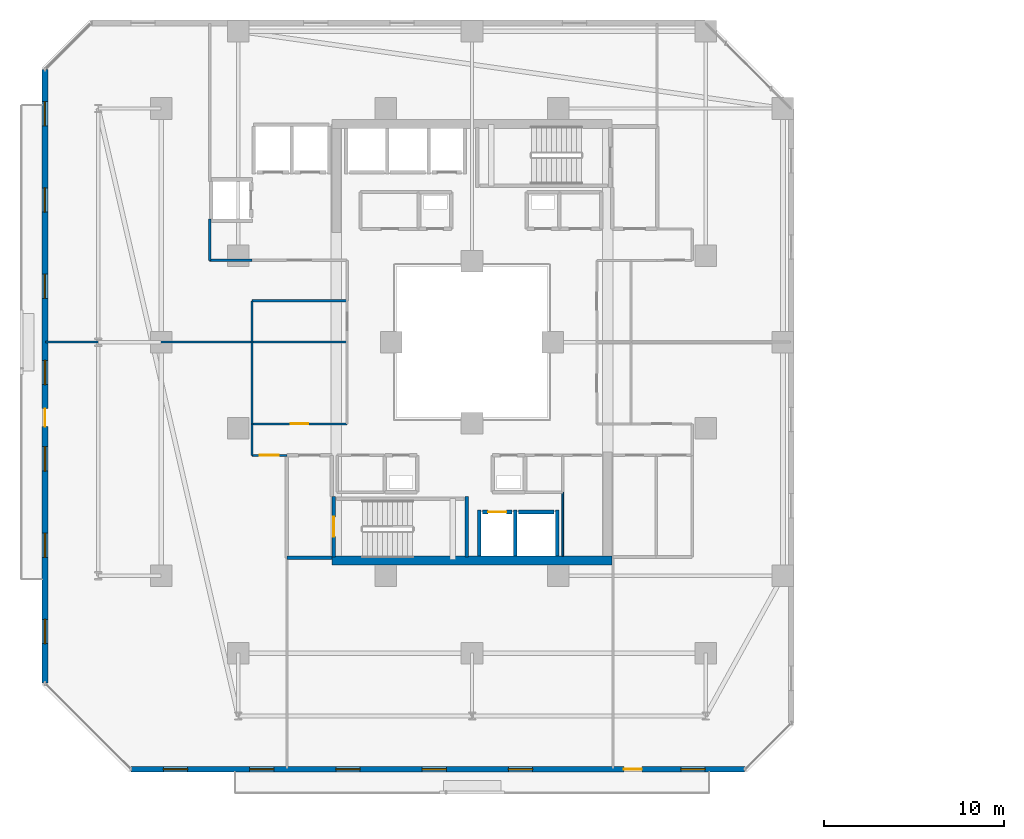
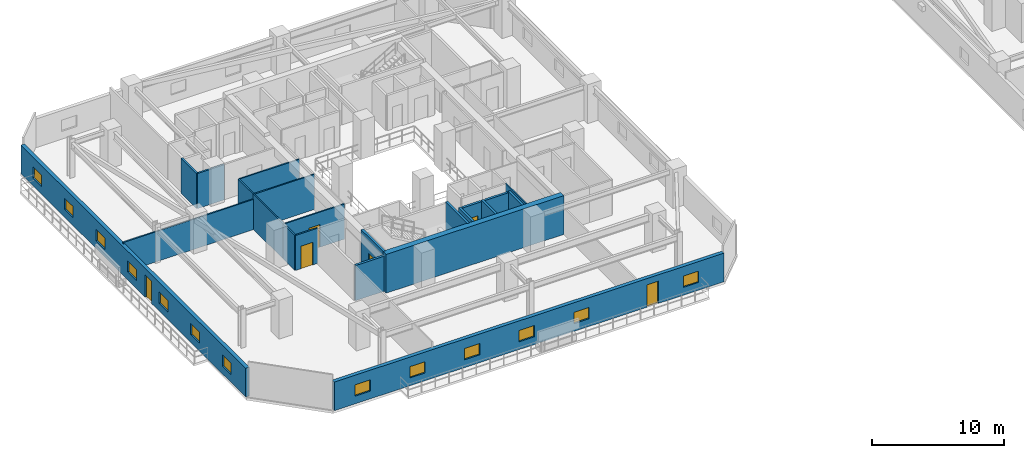
# One storey, part 18 of 34: 22 walls, 13 windows, 6 doors, 19 openings.
"""IFC4 building model written with IfcOpenShell, lengths in metres."""

from ifc_helpers import new_model, si_unit, direction, frame, frame_2d, origin, place, context, subcontext, project, spatial, rectangle, extrude, material, layer, layer_set, type_object, element, fill, save


model = new_model("IFC4")

# Units and contexts
model_context = context("Model", 3, precision=1e-05, world=origin(), true_north=direction((0.0, 1.0)))
body_context = subcontext(model_context, "Body", "Model", "MODEL_VIEW")
ifc_project = project(units=[si_unit("LENGTHUNIT", "METRE"), si_unit("AREAUNIT", "SQUARE_METRE"), si_unit("VOLUMEUNIT", "CUBIC_METRE"), si_unit("PLANEANGLEUNIT", "RADIAN"), si_unit("MASSUNIT", "GRAM", prefix="KILO")], contexts=[model_context])

# Site, building, storey
site_placement = place(None, origin())
site = spatial("IfcSite", under=ifc_project, at=site_placement, CompositionType="ELEMENT")
building_placement = place(site_placement, origin())
building = spatial("IfcBuilding", under=site, at=building_placement, Name="Thornwick Lancets Civic Towers", CompositionType="ELEMENT")
storey_placement = place(building_placement, frame((0.0, 0.0, 137.699951171875)))
storey = spatial("IfcBuildingStorey", under=building, at=storey_placement, Name="L36", CompositionType="ELEMENT", Elevation=137.699951171875)

# Wall, opening, door
ifc_material_1 = material(Name="Concrete blockwork C40/50", Category="masonry")
ifc_layer_1 = layer(ifc_material_1, 0.199951171875, Name="Concrete blockwork C40/50")
ifc_layer_set_1 = layer_set([ifc_layer_1], Name="Concrete blockwork C40/50")
wall_type_1 = type_object("IfcWallType", Name="WALL_COMP_200", PredefinedType="STANDARD", material=ifc_layer_set_1)
wall_1_placement = place(storey_placement, frame((26.080078125, 17.550048828125, 0.0), z_axis=(0.0, 0.0, 1.0), x_axis=(1.0, 0.0, 0.0)))
wall_1 = element("IfcWall", 1, at=wall_1_placement, inside=storey, type_object=wall_type_1, Name="L36 Hoistway Front Wall FL-A1", PredefinedType="STANDARD", context=body_context, shape_type="SweptSolid", body=[
    extrude(rectangle(XDim=1.639892578125, YDim=0.199951171875, at=frame_2d((0.81982421875, 0.0))), origin(), (0.0, 0.0, 1.0), 3.260009765625),
])
opening_1_placement = place(wall_1_placement, frame((0.31005859375, 0.0, 0.0)))
opening_1 = element("IfcOpeningElement", 2, at=opening_1_placement, cuts=wall_1, Name="Opening LD-FL-A1", PredefinedType="OPENING", context=body_context, shape_type="SweptSolid", body=[
    extrude(rectangle(XDim=1.02001953125, YDim=2.06005859375, at=frame_2d((0.510009765625, 1.030029296875))), frame((0.0, 0.10986328125, 0.0), z_axis=(0.0, -1.0, 0.0), x_axis=(1.0, 0.0, 0.0)), (0.0, 0.0, 1.0), 0.219970703125),
])
ifc_material_2 = material(Name="Brushed bronze stainless steel", Category="steel")
door_type_1 = type_object("IfcDoorType", Name="DOOR_LIFT_SLIDE", OperationType="SLIDING_TO_LEFT", PredefinedType="DOOR", material=ifc_material_2)
door_1_placement = place(opening_1_placement, origin())
door_1 = element("IfcDoor", 3, at=door_1_placement, inside=storey, type_object=door_type_1, Name="L36 Sliding Lift Landing Door LD-FL-A1", OperationType="SLIDING_TO_LEFT", OverallHeight=2.06005859375, OverallWidth=1.02001953125, PredefinedType="DOOR", context=body_context, shape_type="SweptSolid", body=[
    extrude(rectangle(XDim=1.02001953125, YDim=2.06005859375, at=frame_2d((0.510009765625, 1.030029296875))), frame((0.0, 0.02490234375, 0.0), z_axis=(0.0, -1.0, 0.0), x_axis=(1.0, 0.0, 0.0)), (0.0, 0.0, 1.0), 0.050048828125),
])
fill(opening_1, door_1)

# Walls
wall_2_placement = place(storey_placement, frame((28.080078125, 17.550048828125, 0.0), z_axis=(0.0, 0.0, 1.0), x_axis=(1.0, 0.0, 0.0)))
element("IfcWall", 4, at=wall_2_placement, inside=storey, type_object=wall_type_1, Name="L36 Hoistway Front Wall PL-AH1", PredefinedType="STANDARD", context=body_context, shape_type="SweptSolid", body=[
    extrude(rectangle(XDim=1.989990234375, YDim=0.199951171875, at=frame_2d((0.9951171875, 0.0))), origin(), (0.0, 0.0, 1.0), 3.260009765625),
])
for number, where, z_axis, x_axis, name in (
    (5, (27.89990234375, 15.112060546875, 0.0), (0.0, 0.0, 1.0), (0.0, 1.0, 0.0), "L36 Hoistway Shaft Wall FL-A1 E"),
    (6, (25.89990234375, 15.112060546875, 0.0), (0.0, 0.0, 1.0), (0.0, 1.0, 0.0), "L36 Hoistway Shaft Wall FL-A1 W"),
    (7, (30.25, 15.112060546875, 0.0), (0.0, 0.0, 1.0), (0.0, 1.0, 0.0), "L36 Hoistway Shaft Wall PL-AH1 E"),
):
    element("IfcWall", number, at=place(storey_placement, frame(where, z_axis=z_axis, x_axis=x_axis)), inside=storey, type_object=wall_type_1, Name=name, PredefinedType="STANDARD", context=body_context, shape_type="SweptSolid", body=[
        extrude(rectangle(XDim=2.535888671875, YDim=0.199951171875, at=frame_2d((1.26806640625, 0.0))), origin(), (0.0, 0.0, 1.0), 3.260009765625),
    ])
wall_3_placement = place(storey_placement, frame((15.199951171875, 15.0, 0.0), z_axis=(0.0, 0.0, 1.0), x_axis=(1.0, 0.0, 0.0)))
element("IfcWall", 8, at=wall_3_placement, inside=storey, type_object=wall_type_1, Name="L36 Partition L36-A-FFLOB1 E1", PredefinedType="STANDARD", context=body_context, shape_type="SweptSolid", body=[
    extrude(rectangle(XDim=2.5, YDim=0.199951171875, at=frame_2d((1.25, 0.0))), origin(), (0.0, 0.0, 1.0), 3.260009765625),
])
ifc_material_3 = material(Name="Concrete C50/60", Category="concrete")
ifc_layer_2 = layer(ifc_material_3, 0.5, Name="Concrete C50/60")
ifc_layer_set_2 = layer_set([ifc_layer_2], Name="Concrete C50/60")
wall_type_2 = type_object("IfcWallType", Name="WALL_CORE_500", PredefinedType="SHEAR", material=ifc_layer_set_2)
wall_4_placement = place(storey_placement, frame((17.699951171875, 14.85009765625, 0.0), z_axis=(0.0, 0.0, 1.0), x_axis=(1.0, 0.0, 0.0)))
element("IfcWall", 9, at=wall_4_placement, inside=storey, type_object=wall_type_2, Name="L36 Split Core A1 Shear Wall S", PredefinedType="SHEAR", context=body_context, shape_type="SweptSolid", body=[
    extrude(rectangle(XDim=15.60009765625, YDim=0.5, at=frame_2d((7.800048828125, 0.0))), origin(), (0.0, 0.0, 1.0), 3.60009765625),
])

# Wall, openings, door, windows
ifc_material_4 = material(Name="Insulated buff terracotta rainscreen on concrete C40/50", Category="masonry")
ifc_layer_3 = layer(ifc_material_4, 0.320068359375, Name="Insulated buff terracotta rainscreen on concrete C40/50")
ifc_layer_set_3 = layer_set([ifc_layer_3], Name="Insulated buff terracotta rainscreen on concrete C40/50")
wall_type_3 = type_object("IfcWallType", Name="WALL_EXT_TERRA_320", PredefinedType="STANDARD", material=ifc_layer_set_3)
wall_5_placement = place(storey_placement, frame((6.52490234375, 3.24267578125, 0.0), z_axis=(0.0, 0.0, 1.0), x_axis=(0.99999997701, -0.000214431216, 0.0)))
wall_5 = element("IfcWall", 10, at=wall_5_placement, inside=storey, type_object=wall_type_3, Name="L36 Tower A Terracotta Facade Wall E0", PredefinedType="STANDARD", context=body_context, shape_type="SweptSolid", body=[
    extrude(rectangle(XDim=34.156494140625, YDim=0.320068359375, at=frame_2d((17.078125, 0.0))), origin(), (0.0, 0.0, 1.0), 2.66015625),
])
opening_2_placement = place(wall_5_placement, frame((27.42822265625, 0.0, 0.0)))
opening_2 = element("IfcOpeningElement", 11, at=opening_2_placement, cuts=wall_5, Name="Opening D-BL-L36-AS", PredefinedType="OPENING", context=body_context, shape_type="SweptSolid", body=[
    extrude(rectangle(XDim=1.0, YDim=2.080078125, at=frame_2d((0.5, 1.0400390625))), frame((0.0, 0.169921875, 0.0), z_axis=(0.0, -1.0, 0.0), x_axis=(1.0, 0.0, 0.0)), (0.0, 0.0, 1.0), 0.340087890625),
])
opening_3_placement = place(wall_5_placement, frame((1.800048828125, 0.0, 0.719970703125)))
opening_3 = element("IfcOpeningElement", 12, at=opening_3_placement, cuts=wall_5, Name="Opening WL-03", PredefinedType="OPENING", context=body_context, shape_type="SweptSolid", body=[
    extrude(rectangle(XDim=1.35009765625, YDim=1.050048828125, at=frame_2d((0.675048828125, 0.52490234375))), frame((0.0, 0.169921875, 0.0), z_axis=(0.0, -1.0, 0.0), x_axis=(1.0, 0.0, 0.0)), (0.0, 0.0, 1.0), 0.340087890625),
])
opening_4_placement = place(wall_5_placement, frame((6.60009765625, 0.0, 0.719970703125)))
opening_4 = element("IfcOpeningElement", 13, at=opening_4_placement, cuts=wall_5, Name="Opening WL-03", PredefinedType="OPENING", context=body_context, shape_type="SweptSolid", body=[
    extrude(rectangle(XDim=1.35009765625, YDim=1.050048828125, at=frame_2d((0.675048828125, 0.52490234375))), frame((0.0, 0.169921875, 0.0), z_axis=(0.0, -1.0, 0.0), x_axis=(1.0, 0.0, 0.0)), (0.0, 0.0, 1.0), 0.340087890625),
])
opening_5_placement = place(wall_5_placement, frame((11.39990234375, 0.0, 0.719970703125)))
opening_5 = element("IfcOpeningElement", 14, at=opening_5_placement, cuts=wall_5, Name="Opening WL-03", PredefinedType="OPENING", context=body_context, shape_type="SweptSolid", body=[
    extrude(rectangle(XDim=1.35009765625, YDim=1.050048828125, at=frame_2d((0.675048828125, 0.52490234375))), frame((0.0, 0.169921875, 0.0), z_axis=(0.0, -1.0, 0.0), x_axis=(1.0, 0.0, 0.0)), (0.0, 0.0, 1.0), 0.340087890625),
])
opening_6_placement = place(wall_5_placement, frame((16.199951171875, 0.0, 0.719970703125)))
opening_6 = element("IfcOpeningElement", 15, at=opening_6_placement, cuts=wall_5, Name="Opening WL-03", PredefinedType="OPENING", context=body_context, shape_type="SweptSolid", body=[
    extrude(rectangle(XDim=1.35009765625, YDim=1.050048828125, at=frame_2d((0.675048828125, 0.52490234375))), frame((0.0, 0.169921875, 0.0), z_axis=(0.0, -1.0, 0.0), x_axis=(1.0, 0.0, 0.0)), (0.0, 0.0, 1.0), 0.340087890625),
])
opening_7_placement = place(wall_5_placement, frame((21.0, 0.0, 0.719970703125)))
opening_7 = element("IfcOpeningElement", 16, at=opening_7_placement, cuts=wall_5, Name="Opening WL-03", PredefinedType="OPENING", context=body_context, shape_type="SweptSolid", body=[
    extrude(rectangle(XDim=1.35009765625, YDim=1.050048828125, at=frame_2d((0.675048828125, 0.52490234375))), frame((0.0, 0.169921875, 0.0), z_axis=(0.0, -1.0, 0.0), x_axis=(1.0, 0.0, 0.0)), (0.0, 0.0, 1.0), 0.340087890625),
])
opening_8_placement = place(wall_5_placement, frame((30.60009765625, 0.0, 0.719970703125)))
opening_8 = element("IfcOpeningElement", 17, at=opening_8_placement, cuts=wall_5, Name="Opening WL-03", PredefinedType="OPENING", context=body_context, shape_type="SweptSolid", body=[
    extrude(rectangle(XDim=1.35009765625, YDim=1.050048828125, at=frame_2d((0.675048828125, 0.52490234375))), frame((0.0, 0.169921875, 0.0), z_axis=(0.0, -1.0, 0.0), x_axis=(1.0, 0.0, 0.0)), (0.0, 0.0, 1.0), 0.340087890625),
])
ifc_material_5 = material(Name="Thermally broken glazed loggia doorset")
door_type_2 = type_object("IfcDoorType", Name="DOOR_BALC_1000", OperationType="NOTDEFINED", PredefinedType="DOOR", material=ifc_material_5)
door_2_placement = place(opening_2_placement, origin())
door_2 = element("IfcDoor", 18, at=door_2_placement, inside=storey, type_object=door_type_2, Name="L36 Tower A Loggia Balcony Door S", OperationType="SINGLE_SWING_LEFT", OverallHeight=2.080078125, OverallWidth=1.0, PredefinedType="DOOR", context=body_context, shape_type="SweptSolid", body=[
    extrude(rectangle(XDim=1.0, YDim=2.080078125, at=frame_2d((0.5, 1.0400390625))), frame((0.0, 0.02490234375, 0.0), z_axis=(0.0, -1.0, 0.0), x_axis=(1.0, 0.0, 0.0)), (0.0, 0.0, 1.0), 0.050048828125),
])
fill(opening_2, door_2)
ifc_material_6 = material(Name="Clear low-e double glazing clerestory lancet", Category="glass")
window_type = type_object("IfcWindowType", Name="WIN_LANCET_1350", PartitioningType="SINGLE_PANEL", PredefinedType="WINDOW", material=ifc_material_6)
window_1_placement = place(opening_3_placement, origin())
window_1 = element("IfcWindow", 19, at=window_1_placement, inside=storey, type_object=window_type, Name="L36 Tower A Staggered Lancet Window E0-1", OverallHeight=1.050048828125, OverallWidth=1.35009765625, PartitioningType="SINGLE_PANEL", PredefinedType="WINDOW", context=body_context, shape_type="SweptSolid", body=[
    extrude(rectangle(XDim=1.35009765625, YDim=1.050048828125, at=frame_2d((0.675048828125, 0.52490234375))), frame((0.0, 0.030029296875, 0.0), z_axis=(0.0, -1.0, 0.0), x_axis=(1.0, 0.0, 0.0)), (0.0, 0.0, 1.0), 0.06005859375),
])
fill(opening_3, window_1)
window_2_placement = place(opening_4_placement, origin())
window_2 = element("IfcWindow", 20, at=window_2_placement, inside=storey, type_object=window_type, Name="L36 Tower A Staggered Lancet Window E0-2", OverallHeight=1.050048828125, OverallWidth=1.35009765625, PartitioningType="SINGLE_PANEL", PredefinedType="WINDOW", context=body_context, shape_type="SweptSolid", body=[
    extrude(rectangle(XDim=1.35009765625, YDim=1.050048828125, at=frame_2d((0.675048828125, 0.52490234375))), frame((0.0, 0.030029296875, 0.0), z_axis=(0.0, -1.0, 0.0), x_axis=(1.0, 0.0, 0.0)), (0.0, 0.0, 1.0), 0.06005859375),
])
fill(opening_4, window_2)
window_3_placement = place(opening_5_placement, origin())
window_3 = element("IfcWindow", 21, at=window_3_placement, inside=storey, type_object=window_type, Name="L36 Tower A Staggered Lancet Window E0-3", OverallHeight=1.050048828125, OverallWidth=1.35009765625, PartitioningType="SINGLE_PANEL", PredefinedType="WINDOW", context=body_context, shape_type="SweptSolid", body=[
    extrude(rectangle(XDim=1.35009765625, YDim=1.050048828125, at=frame_2d((0.675048828125, 0.52490234375))), frame((0.0, 0.030029296875, 0.0), z_axis=(0.0, -1.0, 0.0), x_axis=(1.0, 0.0, 0.0)), (0.0, 0.0, 1.0), 0.06005859375),
])
fill(opening_5, window_3)
window_4_placement = place(opening_6_placement, origin())
window_4 = element("IfcWindow", 22, at=window_4_placement, inside=storey, type_object=window_type, Name="L36 Tower A Staggered Lancet Window E0-4", OverallHeight=1.050048828125, OverallWidth=1.35009765625, PartitioningType="SINGLE_PANEL", PredefinedType="WINDOW", context=body_context, shape_type="SweptSolid", body=[
    extrude(rectangle(XDim=1.35009765625, YDim=1.050048828125, at=frame_2d((0.675048828125, 0.52490234375))), frame((0.0, 0.030029296875, 0.0), z_axis=(0.0, -1.0, 0.0), x_axis=(1.0, 0.0, 0.0)), (0.0, 0.0, 1.0), 0.06005859375),
])
fill(opening_6, window_4)
window_5_placement = place(opening_7_placement, origin())
window_5 = element("IfcWindow", 23, at=window_5_placement, inside=storey, type_object=window_type, Name="L36 Tower A Staggered Lancet Window E0-5", OverallHeight=1.050048828125, OverallWidth=1.35009765625, PartitioningType="SINGLE_PANEL", PredefinedType="WINDOW", context=body_context, shape_type="SweptSolid", body=[
    extrude(rectangle(XDim=1.35009765625, YDim=1.050048828125, at=frame_2d((0.675048828125, 0.52490234375))), frame((0.0, 0.030029296875, 0.0), z_axis=(0.0, -1.0, 0.0), x_axis=(1.0, 0.0, 0.0)), (0.0, 0.0, 1.0), 0.06005859375),
])
fill(opening_7, window_5)
window_6_placement = place(opening_8_placement, origin())
window_6 = element("IfcWindow", 24, at=window_6_placement, inside=storey, type_object=window_type, Name="L36 Tower A Staggered Lancet Window E0-6", OverallHeight=1.050048828125, OverallWidth=1.35009765625, PartitioningType="SINGLE_PANEL", PredefinedType="WINDOW", context=body_context, shape_type="SweptSolid", body=[
    extrude(rectangle(XDim=1.35009765625, YDim=1.050048828125, at=frame_2d((0.675048828125, 0.52490234375))), frame((0.0, 0.030029296875, 0.0), z_axis=(0.0, -1.0, 0.0), x_axis=(1.0, 0.0, 0.0)), (0.0, 0.0, 1.0), 0.06005859375),
])
fill(opening_8, window_6)

wall_6_placement = place(storey_placement, frame((1.7353515625, 42.181396484375, 0.0), z_axis=(0.0, 0.0, 1.0), x_axis=(0.000214431216, -0.99999997701, 0.0)))
wall_6 = element("IfcWall", 25, at=wall_6_placement, inside=storey, type_object=wall_type_3, Name="L36 Tower A Terracotta Facade Wall E6", PredefinedType="STANDARD", context=body_context, shape_type="SweptSolid", body=[
    extrude(rectangle(XDim=34.156494140625, YDim=0.320068359375, at=frame_2d((17.078125, 0.0))), origin(), (0.0, 0.0, 1.0), 2.66015625),
])
opening_9_placement = place(wall_6_placement, frame((18.87841796875, 0.0, 0.0)))
opening_9 = element("IfcOpeningElement", 26, at=opening_9_placement, cuts=wall_6, Name="Opening D-BL-L36-AW", PredefinedType="OPENING", context=body_context, shape_type="SweptSolid", body=[
    extrude(rectangle(XDim=1.0, YDim=2.080078125, at=frame_2d((0.5, 1.0400390625))), frame((0.0, 0.169921875, 0.0), z_axis=(0.0, -1.0, 0.0), x_axis=(1.0, 0.0, 0.0)), (0.0, 0.0, 1.0), 0.340087890625),
])
opening_10_placement = place(wall_6_placement, frame((1.800048828125, 0.0, 0.719970703125)))
opening_10 = element("IfcOpeningElement", 27, at=opening_10_placement, cuts=wall_6, Name="Opening WL-03", PredefinedType="OPENING", context=body_context, shape_type="SweptSolid", body=[
    extrude(rectangle(XDim=1.35009765625, YDim=1.050048828125, at=frame_2d((0.675048828125, 0.52490234375))), frame((0.0, 0.169921875, 0.0), z_axis=(0.0, -1.0, 0.0), x_axis=(1.0, 0.0, 0.0)), (0.0, 0.0, 1.0), 0.340087890625),
])
opening_11_placement = place(wall_6_placement, frame((6.60009765625, 0.0, 0.719970703125)))
opening_11 = element("IfcOpeningElement", 28, at=opening_11_placement, cuts=wall_6, Name="Opening WL-03", PredefinedType="OPENING", context=body_context, shape_type="SweptSolid", body=[
    extrude(rectangle(XDim=1.35009765625, YDim=1.050048828125, at=frame_2d((0.675048828125, 0.52490234375))), frame((0.0, 0.169921875, 0.0), z_axis=(0.0, -1.0, 0.0), x_axis=(1.0, 0.0, 0.0)), (0.0, 0.0, 1.0), 0.340087890625),
])
opening_12_placement = place(wall_6_placement, frame((11.39990234375, 0.0, 0.719970703125)))
opening_12 = element("IfcOpeningElement", 29, at=opening_12_placement, cuts=wall_6, Name="Opening WL-03", PredefinedType="OPENING", context=body_context, shape_type="SweptSolid", body=[
    extrude(rectangle(XDim=1.35009765625, YDim=1.050048828125, at=frame_2d((0.675048828125, 0.52490234375))), frame((0.0, 0.169921875, 0.0), z_axis=(0.0, -1.0, 0.0), x_axis=(1.0, 0.0, 0.0)), (0.0, 0.0, 1.0), 0.340087890625),
])
opening_13_placement = place(wall_6_placement, frame((16.199951171875, 0.0, 0.719970703125)))
opening_13 = element("IfcOpeningElement", 30, at=opening_13_placement, cuts=wall_6, Name="Opening WL-03", PredefinedType="OPENING", context=body_context, shape_type="SweptSolid", body=[
    extrude(rectangle(XDim=1.35009765625, YDim=1.050048828125, at=frame_2d((0.675048828125, 0.52490234375))), frame((0.0, 0.169921875, 0.0), z_axis=(0.0, -1.0, 0.0), x_axis=(1.0, 0.0, 0.0)), (0.0, 0.0, 1.0), 0.340087890625),
])
opening_14_placement = place(wall_6_placement, frame((21.0, 0.0, 0.719970703125)))
opening_14 = element("IfcOpeningElement", 31, at=opening_14_placement, cuts=wall_6, Name="Opening WL-03", PredefinedType="OPENING", context=body_context, shape_type="SweptSolid", body=[
    extrude(rectangle(XDim=1.35009765625, YDim=1.050048828125, at=frame_2d((0.675048828125, 0.52490234375))), frame((0.0, 0.169921875, 0.0), z_axis=(0.0, -1.0, 0.0), x_axis=(1.0, 0.0, 0.0)), (0.0, 0.0, 1.0), 0.340087890625),
])
opening_15_placement = place(wall_6_placement, frame((25.800048828125, 0.0, 0.719970703125)))
opening_15 = element("IfcOpeningElement", 32, at=opening_15_placement, cuts=wall_6, Name="Opening WL-03", PredefinedType="OPENING", context=body_context, shape_type="SweptSolid", body=[
    extrude(rectangle(XDim=1.35009765625, YDim=1.050048828125, at=frame_2d((0.675048828125, 0.52490234375))), frame((0.0, 0.169921875, 0.0), z_axis=(0.0, -1.0, 0.0), x_axis=(1.0, 0.0, 0.0)), (0.0, 0.0, 1.0), 0.340087890625),
])
opening_16_placement = place(wall_6_placement, frame((30.60009765625, 0.0, 0.719970703125)))
opening_16 = element("IfcOpeningElement", 33, at=opening_16_placement, cuts=wall_6, Name="Opening WL-03", PredefinedType="OPENING", context=body_context, shape_type="SweptSolid", body=[
    extrude(rectangle(XDim=1.35009765625, YDim=1.050048828125, at=frame_2d((0.675048828125, 0.52490234375))), frame((0.0, 0.169921875, 0.0), z_axis=(0.0, -1.0, 0.0), x_axis=(1.0, 0.0, 0.0)), (0.0, 0.0, 1.0), 0.340087890625),
])
door_3_placement = place(opening_9_placement, origin())
door_3 = element("IfcDoor", 34, at=door_3_placement, inside=storey, type_object=door_type_2, Name="L36 Tower A Loggia Balcony Door W", OperationType="SINGLE_SWING_LEFT", OverallHeight=2.080078125, OverallWidth=1.0, PredefinedType="DOOR", context=body_context, shape_type="SweptSolid", body=[
    extrude(rectangle(XDim=1.0, YDim=2.080078125, at=frame_2d((0.5, 1.0400390625))), frame((0.0, 0.02490234375, 0.0), z_axis=(0.0, -1.0, 0.0), x_axis=(1.0, 0.0, 0.0)), (0.0, 0.0, 1.0), 0.050048828125),
])
fill(opening_9, door_3)
window_7_placement = place(opening_10_placement, origin())
window_7 = element("IfcWindow", 35, at=window_7_placement, inside=storey, type_object=window_type, Name="L36 Tower A Staggered Lancet Window E6-1", OverallHeight=1.050048828125, OverallWidth=1.35009765625, PartitioningType="SINGLE_PANEL", PredefinedType="WINDOW", context=body_context, shape_type="SweptSolid", body=[
    extrude(rectangle(XDim=1.35009765625, YDim=1.050048828125, at=frame_2d((0.675048828125, 0.52490234375))), frame((0.0, 0.030029296875, 0.0), z_axis=(0.0, -1.0, 0.0), x_axis=(1.0, 0.0, 0.0)), (0.0, 0.0, 1.0), 0.06005859375),
])
fill(opening_10, window_7)
window_8_placement = place(opening_11_placement, origin())
window_8 = element("IfcWindow", 36, at=window_8_placement, inside=storey, type_object=window_type, Name="L36 Tower A Staggered Lancet Window E6-2", OverallHeight=1.050048828125, OverallWidth=1.35009765625, PartitioningType="SINGLE_PANEL", PredefinedType="WINDOW", context=body_context, shape_type="SweptSolid", body=[
    extrude(rectangle(XDim=1.35009765625, YDim=1.050048828125, at=frame_2d((0.675048828125, 0.52490234375))), frame((0.0, 0.030029296875, 0.0), z_axis=(0.0, -1.0, 0.0), x_axis=(1.0, 0.0, 0.0)), (0.0, 0.0, 1.0), 0.06005859375),
])
fill(opening_11, window_8)
window_9_placement = place(opening_12_placement, origin())
window_9 = element("IfcWindow", 37, at=window_9_placement, inside=storey, type_object=window_type, Name="L36 Tower A Staggered Lancet Window E6-3", OverallHeight=1.050048828125, OverallWidth=1.35009765625, PartitioningType="SINGLE_PANEL", PredefinedType="WINDOW", context=body_context, shape_type="SweptSolid", body=[
    extrude(rectangle(XDim=1.35009765625, YDim=1.050048828125, at=frame_2d((0.675048828125, 0.52490234375))), frame((0.0, 0.030029296875, 0.0), z_axis=(0.0, -1.0, 0.0), x_axis=(1.0, 0.0, 0.0)), (0.0, 0.0, 1.0), 0.06005859375),
])
fill(opening_12, window_9)
window_10_placement = place(opening_13_placement, origin())
window_10 = element("IfcWindow", 38, at=window_10_placement, inside=storey, type_object=window_type, Name="L36 Tower A Staggered Lancet Window E6-4", OverallHeight=1.050048828125, OverallWidth=1.35009765625, PartitioningType="SINGLE_PANEL", PredefinedType="WINDOW", context=body_context, shape_type="SweptSolid", body=[
    extrude(rectangle(XDim=1.35009765625, YDim=1.050048828125, at=frame_2d((0.675048828125, 0.52490234375))), frame((0.0, 0.030029296875, 0.0), z_axis=(0.0, -1.0, 0.0), x_axis=(1.0, 0.0, 0.0)), (0.0, 0.0, 1.0), 0.06005859375),
])
fill(opening_13, window_10)
window_11_placement = place(opening_14_placement, origin())
window_11 = element("IfcWindow", 39, at=window_11_placement, inside=storey, type_object=window_type, Name="L36 Tower A Staggered Lancet Window E6-5", OverallHeight=1.050048828125, OverallWidth=1.35009765625, PartitioningType="SINGLE_PANEL", PredefinedType="WINDOW", context=body_context, shape_type="SweptSolid", body=[
    extrude(rectangle(XDim=1.35009765625, YDim=1.050048828125, at=frame_2d((0.675048828125, 0.52490234375))), frame((0.0, 0.030029296875, 0.0), z_axis=(0.0, -1.0, 0.0), x_axis=(1.0, 0.0, 0.0)), (0.0, 0.0, 1.0), 0.06005859375),
])
fill(opening_14, window_11)
window_12_placement = place(opening_15_placement, origin())
window_12 = element("IfcWindow", 40, at=window_12_placement, inside=storey, type_object=window_type, Name="L36 Tower A Staggered Lancet Window E6-6", OverallHeight=1.050048828125, OverallWidth=1.35009765625, PartitioningType="SINGLE_PANEL", PredefinedType="WINDOW", context=body_context, shape_type="SweptSolid", body=[
    extrude(rectangle(XDim=1.35009765625, YDim=1.050048828125, at=frame_2d((0.675048828125, 0.52490234375))), frame((0.0, 0.030029296875, 0.0), z_axis=(0.0, -1.0, 0.0), x_axis=(1.0, 0.0, 0.0)), (0.0, 0.0, 1.0), 0.06005859375),
])
fill(opening_15, window_12)
window_13_placement = place(opening_16_placement, origin())
window_13 = element("IfcWindow", 41, at=window_13_placement, inside=storey, type_object=window_type, Name="L36 Tower A Staggered Lancet Window E6-7", OverallHeight=1.050048828125, OverallWidth=1.35009765625, PartitioningType="SINGLE_PANEL", PredefinedType="WINDOW", context=body_context, shape_type="SweptSolid", body=[
    extrude(rectangle(XDim=1.35009765625, YDim=1.050048828125, at=frame_2d((0.675048828125, 0.52490234375))), frame((0.0, 0.030029296875, 0.0), z_axis=(0.0, -1.0, 0.0), x_axis=(1.0, 0.0, 0.0)), (0.0, 0.0, 1.0), 0.06005859375),
])
fill(opening_16, window_13)

# Walls
ifc_material_7 = material(Name="Lightweight cellular office partition")
ifc_layer_4 = layer(ifc_material_7, 0.10009765625, Name="Lightweight cellular office partition")
ifc_layer_set_4 = layer_set([ifc_layer_4], Name="Lightweight cellular office partition")
wall_type_4 = type_object("IfcWallType", Name="WALL_PART_100", PredefinedType="PARTITIONING", material=ifc_layer_set_4)
wall_7_placement = place(storey_placement, frame((30.550048828125, 15.10009765625, 0.0), z_axis=(0.0, 0.0, 1.0), x_axis=(0.0, 1.0, 0.0)))
element("IfcWall", 42, at=wall_7_placement, inside=storey, type_object=wall_type_4, Name="L36 Partition L36-A-CLN E3", PredefinedType="PARTITIONING", context=body_context, shape_type="SweptSolid", body=[
    extrude(rectangle(XDim=3.5498046875, YDim=0.10009765625, at=frame_2d((1.77490234375, 0.0))), origin(), (0.0, 0.0, 1.0), 3.260009765625),
])
ifc_material_8 = material(Name="Acoustic gypsum board partition")
ifc_layer_5 = layer(ifc_material_8, 0.1201171875, Name="Acoustic gypsum board partition")
ifc_layer_set_5 = layer_set([ifc_layer_5], Name="Acoustic gypsum board partition")
wall_type_5 = type_object("IfcWallType", Name="WALL_PART_120", PredefinedType="PARTITIONING", material=ifc_layer_set_5)
wall_8_placement = place(storey_placement, frame((13.25, 22.449951171875, 0.0), z_axis=(0.0, 0.0, 1.0), x_axis=(0.0, -1.0, 0.0)))
element("IfcWall", 43, at=wall_8_placement, inside=storey, type_object=wall_type_5, Name="L36 Partition L36-A-W1 E1", PredefinedType="PARTITIONING", context=body_context, shape_type="SweptSolid", body=[
    extrude(rectangle(XDim=1.75, YDim=0.1201171875, at=frame_2d((0.875, 0.0))), origin(), (0.0, 0.0, 1.0), 3.260009765625),
])

# Wall, opening, door
wall_9_placement = place(storey_placement, frame((13.25, 20.699951171875, 0.0), z_axis=(0.0, 0.0, 1.0), x_axis=(1.0, 0.0, 0.0)))
wall_9 = element("IfcWall", 44, at=wall_9_placement, inside=storey, type_object=wall_type_5, Name="L36 Partition L36-A-W1 E2", PredefinedType="PARTITIONING", context=body_context, shape_type="SweptSolid", body=[
    extrude(rectangle(XDim=1.949951171875, YDim=0.1201171875, at=frame_2d((0.97509765625, 0.0))), origin(), (0.0, 0.0, 1.0), 3.260009765625),
])
opening_17_placement = place(wall_9_placement, frame((0.449951171875, 0.0, 0.0)))
opening_17 = element("IfcOpeningElement", 45, at=opening_17_placement, cuts=wall_9, Name="Opening D-L36-1645", PredefinedType="OPENING", context=body_context, shape_type="SweptSolid", body=[
    extrude(rectangle(XDim=1.050048828125, YDim=2.10009765625, at=frame_2d((0.52490234375, 1.050048828125))), frame((0.0, 0.070068359375, 0.0), z_axis=(0.0, -1.0, 0.0), x_axis=(1.0, 0.0, 0.0)), (0.0, 0.0, 1.0), 0.14013671875),
])
ifc_material_9 = material(Name="Glazed European oak executive doorset")
door_type_3 = type_object("IfcDoorType", Name="DOOR_OFFICE_1050", OperationType="NOTDEFINED", PredefinedType="DOOR", material=ifc_material_9)
door_4_placement = place(opening_17_placement, origin())
door_4 = element("IfcDoor", 46, at=door_4_placement, inside=storey, type_object=door_type_3, Name="L36 Tower A Ministry Directorate Office W1 Door", OperationType="SINGLE_SWING_RIGHT", OverallHeight=2.10009765625, OverallWidth=1.050048828125, PredefinedType="DOOR", context=body_context, shape_type="SweptSolid", body=[
    extrude(rectangle(XDim=1.050048828125, YDim=2.10009765625, at=frame_2d((0.52490234375, 1.050048828125))), frame((0.0, 0.02490234375, 0.0), z_axis=(0.0, -1.0, 0.0), x_axis=(1.0, 0.0, 0.0)), (0.0, 0.0, 1.0), 0.050048828125),
])
fill(opening_17, door_4)

# Walls
wall_10_placement = place(storey_placement, frame((1.780029296875, 27.0, 0.0), z_axis=(0.0, 0.0, 1.0), x_axis=(1.0, 0.0, 0.0)))
element("IfcWall", 47, at=wall_10_placement, inside=storey, type_object=wall_type_5, Name="L36 Partition L36-A-W1 E8", PredefinedType="PARTITIONING", context=body_context, shape_type="SweptSolid", body=[
    extrude(rectangle(XDim=11.469970703125, YDim=0.1201171875, at=frame_2d((5.73486328125, 0.0))), origin(), (0.0, 0.0, 1.0), 2.8017578125),
])
wall_11_placement = place(storey_placement, frame((13.25, 27.0, 0.0), z_axis=(0.0, 0.0, 1.0), x_axis=(0.0, -1.0, 0.0)))
element("IfcWall", 48, at=wall_11_placement, inside=storey, type_object=wall_type_5, Name="L36 Partition L36-A-W1 E9", PredefinedType="PARTITIONING", context=body_context, shape_type="SweptSolid", body=[
    extrude(rectangle(XDim=4.550048828125, YDim=0.1201171875, at=frame_2d((2.27490234375, 0.0))), origin(), (0.0, 0.0, 1.0), 3.260009765625),
])
wall_12_placement = place(storey_placement, frame((13.25, 27.0, 0.0), z_axis=(0.0, 0.0, 1.0), x_axis=(1.0, 0.0, 0.0)))
element("IfcWall", 49, at=wall_12_placement, inside=storey, type_object=wall_type_5, Name="L36 Partition L36-A-W2 E2", PredefinedType="PARTITIONING", context=body_context, shape_type="SweptSolid", body=[
    extrude(rectangle(XDim=5.300048828125, YDim=0.1201171875, at=frame_2d((2.64990234375, 0.0))), origin(), (0.0, 0.0, 1.0), 3.260009765625),
])

# Wall, opening, door
wall_13_placement = place(storey_placement, frame((18.550048828125, 22.449951171875, 0.0), z_axis=(0.0, 0.0, 1.0), x_axis=(-1.0, 0.0, 0.0)))
wall_13 = element("IfcWall", 50, at=wall_13_placement, inside=storey, type_object=wall_type_5, Name="L36 Partition L36-A-W2 E4", PredefinedType="PARTITIONING", context=body_context, shape_type="SweptSolid", body=[
    extrude(rectangle(XDim=5.300048828125, YDim=0.1201171875, at=frame_2d((2.64990234375, 0.0))), origin(), (0.0, 0.0, 1.0), 3.260009765625),
])
opening_18_placement = place(wall_13_placement, frame((2.175048828125, 0.0, 0.0)))
opening_18 = element("IfcOpeningElement", 51, at=opening_18_placement, cuts=wall_13, Name="Opening D-L36-1646", PredefinedType="OPENING", context=body_context, shape_type="SweptSolid", body=[
    extrude(rectangle(XDim=0.949951171875, YDim=2.10009765625, at=frame_2d((0.47509765625, 1.050048828125))), frame((0.0, 0.070068359375, 0.0), z_axis=(0.0, -1.0, 0.0), x_axis=(1.0, 0.0, 0.0)), (0.0, 0.0, 1.0), 0.14013671875),
])
ifc_material_10 = material(Name="European oak acoustic doorset")
door_type_4 = type_object("IfcDoorType", Name="DOOR_OFFICE_950", OperationType="NOTDEFINED", PredefinedType="DOOR", material=ifc_material_10)
door_5_placement = place(opening_18_placement, origin())
door_5 = element("IfcDoor", 52, at=door_5_placement, inside=storey, type_object=door_type_4, Name="L36 Tower A Statutory Research Suite Door", OperationType="SINGLE_SWING_LEFT", OverallHeight=2.10009765625, OverallWidth=0.949951171875, PredefinedType="DOOR", context=body_context, shape_type="SweptSolid", body=[
    extrude(rectangle(XDim=0.949951171875, YDim=2.10009765625, at=frame_2d((0.47509765625, 1.050048828125))), frame((0.0, 0.02490234375, 0.0), z_axis=(0.0, -1.0, 0.0), x_axis=(1.0, 0.0, 0.0)), (0.0, 0.0, 1.0), 0.050048828125),
])
fill(opening_18, door_5)

# Walls
wall_14_placement = place(storey_placement, frame((13.25, 27.0, 0.0), z_axis=(0.0, 0.0, 1.0), x_axis=(0.0, 1.0, 0.0)))
element("IfcWall", 53, at=wall_14_placement, inside=storey, type_object=wall_type_5, Name="L36 Partition L36-A-W3 E1", PredefinedType="PARTITIONING", context=body_context, shape_type="SweptSolid", body=[
    extrude(rectangle(XDim=2.300048828125, YDim=0.1201171875, at=frame_2d((1.14990234375, 0.0))), origin(), (0.0, 0.0, 1.0), 3.260009765625),
])
wall_15_placement = place(storey_placement, frame((13.25, 29.300048828125, 0.0), z_axis=(0.0, 0.0, 1.0), x_axis=(1.0, 0.0, 0.0)))
element("IfcWall", 54, at=wall_15_placement, inside=storey, type_object=wall_type_5, Name="L36 Partition L36-A-W3 E2", PredefinedType="PARTITIONING", context=body_context, shape_type="SweptSolid", body=[
    extrude(rectangle(XDim=5.300048828125, YDim=0.1201171875, at=frame_2d((2.64990234375, 0.0))), origin(), (0.0, 0.0, 1.0), 3.260009765625),
])
ifc_material_11 = material(Name="Twin-stud acoustic gypsum board")
ifc_layer_6 = layer(ifc_material_11, 0.14990234375, Name="Twin-stud acoustic gypsum board")
ifc_layer_set_6 = layer_set([ifc_layer_6], Name="Twin-stud acoustic gypsum board")
wall_type_6 = type_object("IfcWallType", Name="WALL_PART_150", PredefinedType="PARTITIONING", material=ifc_layer_set_6)
wall_16_placement = place(storey_placement, frame((10.89990234375, 33.862060546875, 0.0), z_axis=(0.0, 0.0, 1.0), x_axis=(0.0, -1.0, 0.0)))
element("IfcWall", 55, at=wall_16_placement, inside=storey, type_object=wall_type_6, Name="L36 Partition L36-A-W4 E9", PredefinedType="PARTITIONING", context=body_context, shape_type="SweptSolid", body=[
    extrude(rectangle(XDim=2.31201171875, YDim=0.14990234375, at=frame_2d((1.156005859375, 0.0))), origin(), (0.0, 0.0, 1.0), 3.260009765625),
])
wall_17_placement = place(storey_placement, frame((10.89990234375, 31.550048828125, 0.0), z_axis=(0.0, 0.0, 1.0), x_axis=(1.0, 0.0, 0.0)))
element("IfcWall", 56, at=wall_17_placement, inside=storey, type_object=wall_type_6, Name="L36 Partition L36-A-W4 E10", PredefinedType="PARTITIONING", context=body_context, shape_type="SweptSolid", body=[
    extrude(rectangle(XDim=2.35009765625, YDim=0.14990234375, at=frame_2d((1.175048828125, 0.0))), origin(), (0.0, 0.0, 1.0), 3.260009765625),
])

# Wall, opening, door
ifc_material_12 = material(Name="Concrete C40/50", Category="concrete")
ifc_layer_7 = layer(ifc_material_12, 0.199951171875, Name="Concrete C40/50")
ifc_layer_set_7 = layer_set([ifc_layer_7], Name="Concrete C40/50")
wall_type_7 = type_object("IfcWallType", Name="WALL_SHAFT_200", PredefinedType="SHEAR", material=ifc_layer_set_7)
wall_18_placement = place(storey_placement, frame((17.800048828125, 15.050048828125, 0.0), z_axis=(0.0, 0.0, 1.0), x_axis=(0.0, 1.0, 0.0)))
wall_18 = element("IfcWall", 57, at=wall_18_placement, inside=storey, type_object=wall_type_7, Name="L36 ST-A1 Fire Stair Core Wall NEAR", PredefinedType="SHEAR", context=body_context, shape_type="SweptSolid", body=[
    extrude(rectangle(XDim=3.349853515625, YDim=0.199951171875, at=frame_2d((1.6748046875, 0.0))), origin(), (0.0, 0.0, 1.0), 3.60009765625),
])
opening_19_placement = place(wall_18_placement, frame((1.125, 0.0, 0.0)))
opening_19 = element("IfcOpeningElement", 58, at=opening_19_placement, cuts=wall_18, Name="Opening D-ST-A1-L36", PredefinedType="OPENING", context=body_context, shape_type="SweptSolid", body=[
    extrude(rectangle(XDim=1.10009765625, YDim=2.10009765625, at=frame_2d((0.550048828125, 1.050048828125))), frame((0.0, 0.10986328125, 0.0), z_axis=(0.0, -1.0, 0.0), x_axis=(1.0, 0.0, 0.0)), (0.0, 0.0, 1.0), 0.219970703125),
])
ifc_material_13 = material(Name="Fire-resisting steel and hardwood", Category="steel")
door_type_5 = type_object("IfcDoorType", Name="DOOR_STAIR_FD60", OperationType="NOTDEFINED", PredefinedType="DOOR", material=ifc_material_13)
door_6_placement = place(opening_19_placement, origin())
door_6 = element("IfcDoor", 59, at=door_6_placement, inside=storey, type_object=door_type_5, Name="L36 ST-A1 Exit Stair Door", OperationType="SINGLE_SWING_RIGHT", OverallHeight=2.10009765625, OverallWidth=1.10009765625, PredefinedType="DOOR", context=body_context, shape_type="SweptSolid", body=[
    extrude(rectangle(XDim=1.10009765625, YDim=2.10009765625, at=frame_2d((0.550048828125, 1.050048828125))), frame((0.0, 0.02490234375, 0.0), z_axis=(0.0, -1.0, 0.0), x_axis=(1.0, 0.0, 0.0)), (0.0, 0.0, 1.0), 0.050048828125),
])
fill(opening_19, door_6)

# Wall
wall_19_placement = place(storey_placement, frame((25.199951171875, 18.39990234375, 0.0), z_axis=(0.0, 0.0, 1.0), x_axis=(0.0, -1.0, 0.0)))
element("IfcWall", 60, at=wall_19_placement, inside=storey, type_object=wall_type_7, Name="L36 ST-A1 Fire Stair Core Wall FAR", PredefinedType="SHEAR", context=body_context, shape_type="SweptSolid", body=[
    extrude(rectangle(XDim=3.349853515625, YDim=0.199951171875, at=frame_2d((1.6748046875, 0.0))), origin(), (0.0, 0.0, 1.0), 3.60009765625),
])

save(model, "model.ifc")
